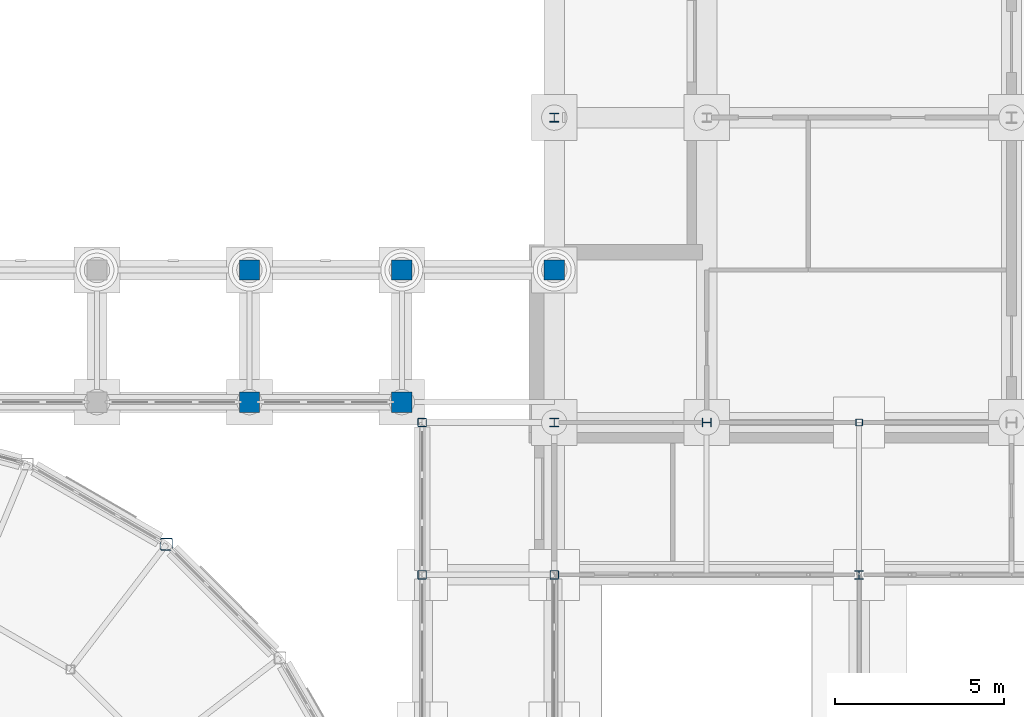
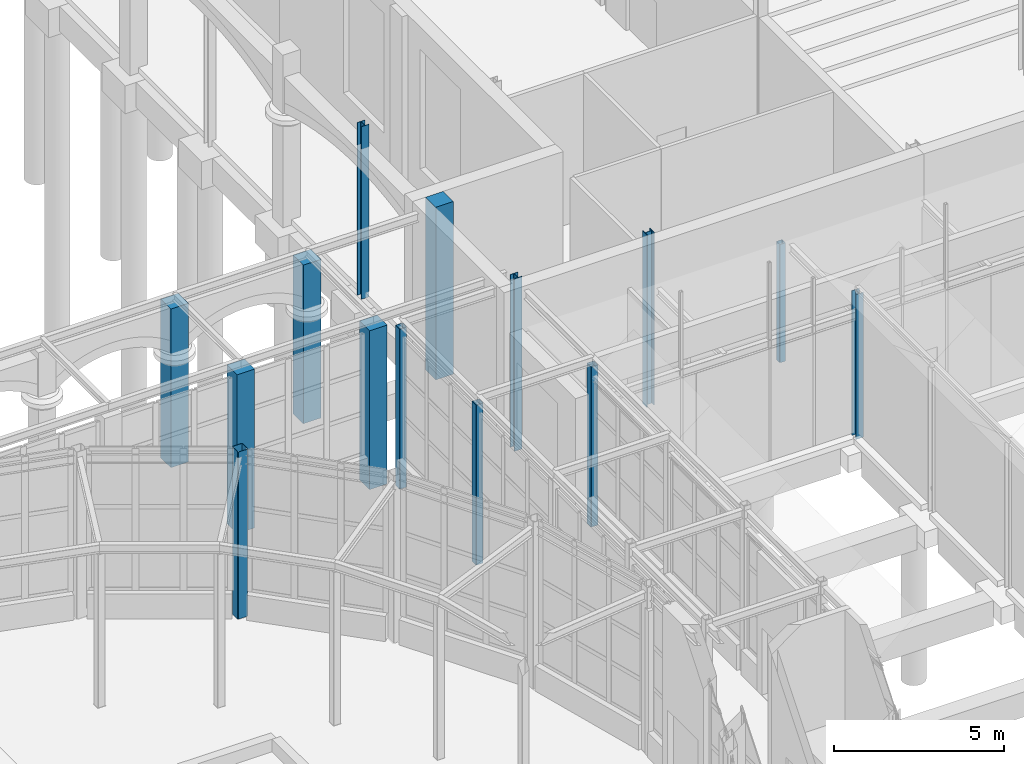
# One storey, part 19 of 106: 14 columns.
"""IFC4 building model written with IfcOpenShell, lengths in metres."""

from ifc_helpers import new_model, si_unit, direction, frame, origin, origin_2d, place, context, subcontext, project, spatial, rectangle, hollow_rectangle, i_section, extrude, material, material_profile, profile_set, type_object, element, save


model = new_model("IFC4")

# Units and contexts
model_context = context("Model", 3, precision=1e-05, world=origin(), true_north=direction((0.0, 1.0)))
body_context = subcontext(model_context, "Body", "Model", "MODEL_VIEW")
ifc_project = project(units=[si_unit("LENGTHUNIT", "METRE"), si_unit("AREAUNIT", "SQUARE_METRE"), si_unit("VOLUMEUNIT", "CUBIC_METRE"), si_unit("PLANEANGLEUNIT", "RADIAN"), si_unit("MASSUNIT", "GRAM", prefix="KILO")], contexts=[model_context])

# Site, building, storey
site_placement = place(None, origin())
site = spatial("IfcSite", under=ifc_project, at=site_placement, CompositionType="ELEMENT")
building_placement = place(site_placement, origin())
building = spatial("IfcBuilding", under=site, at=building_placement, Name="Hortulan Conservatory and Botanical Research Centre", CompositionType="ELEMENT")
storey_placement = place(building_placement, origin())
storey = spatial("IfcBuildingStorey", under=building, at=storey_placement, Name="L00", CompositionType="ELEMENT", Elevation=0.0)

# Columns
ifc_material_1 = material(Name="Steel Grade 300PLUS (AS/NZS 3679.1, 280 MPa minimum yield)", Category="steel")
ifc_material_profile_1 = material_profile(ifc_material_1, i_section(OverallWidth=0.256103515625, OverallDepth=0.260009765625, WebThickness=0.010498046875, FlangeThickness=0.017333984375, FilletRadius=0.013916015625, at=origin_2d()), Name="250UC89.5")
ifc_profile_set_1 = profile_set([ifc_material_profile_1], Name="Steel Grade 300PLUS (AS/NZS 3679.1, 280 MPa minimum yield)")
column_type_1 = type_object("IfcColumnType", Name="Auditorium Column 250UC89.5", PredefinedType="COLUMN", material=ifc_profile_set_1)
for number, where, z_axis, x_axis, name in (
    (1, (76.5, 36.0, -0.199951171875), (0.0, 0.0, 1.0), (1.0, 0.0, 0.0), "250UC89.5 column"),
    (2, (76.5, 45.0, -0.199951171875), (0.0, 0.0, 1.0), (1.0, 0.0, 0.0), "250UC89.5 column"),
    (3, (81.0, 36.0, -0.199951171875), (0.0, 0.0, 1.0), (0.0, 1.0, 0.0), "250UC89.5 column"),
):
    element("IfcColumn", number, at=place(storey_placement, frame(where, z_axis=z_axis, x_axis=x_axis)), inside=storey, type_object=column_type_1, Name=name, PredefinedType="COLUMN", context=body_context, shape_type="SweptSolid", body=[
        extrude(i_section(OverallWidth=0.256103515625, OverallDepth=0.260009765625, WebThickness=0.010498046875, FlangeThickness=0.017333984375, FilletRadius=0.013916015625, at=origin_2d()), origin(), (0.0, 0.0, 1.0), 6.199951171875),
    ])
ifc_material_profile_2 = material_profile(ifc_material_1, i_section(OverallWidth=0.25390625, OverallDepth=0.25390625, WebThickness=0.008544921875, FlangeThickness=0.01416015625, FilletRadius=0.013916015625, at=origin_2d()), Name="250UC72.9")
ifc_profile_set_2 = profile_set([ifc_material_profile_2], Name="Steel Grade 300PLUS (AS/NZS 3679.1, 280 MPa minimum yield)")
column_type_2 = type_object("IfcColumnType", Name="Climate House Column 250UC72.9", PredefinedType="COLUMN", material=ifc_profile_set_2)
column_1_placement = place(storey_placement, frame((85.5, 31.5, -0.199951171875), z_axis=(0.0, 0.0, 1.0), x_axis=(1.0, 0.0, 0.0)))
element("IfcColumn", 4, at=column_1_placement, inside=storey, type_object=column_type_2, Name="Climate house column F2-8", PredefinedType="COLUMN", context=body_context, shape_type="SweptSolid", body=[
    extrude(i_section(OverallWidth=0.25390625, OverallDepth=0.25390625, WebThickness=0.008544921875, FlangeThickness=0.01416015625, FilletRadius=0.013916015625, at=origin_2d()), origin(), (0.0, 0.0, 1.0), 5.199951171875),
])
ifc_material_2 = material(Name="Steel Grade C450L0 (450 MPa, AS/NZS 1163)", Category="steel")
ifc_material_profile_3 = material_profile(ifc_material_2, hollow_rectangle(XDim=0.35009765625, YDim=0.35009765625, WallThickness=0.012451171875, InnerFilletRadius=0.018798828125, OuterFilletRadius=0.03125, at=origin_2d()), Name="350x350x12.5SHS")
ifc_profile_set_3 = profile_set([ifc_material_profile_3], Name="Steel Grade C450L0 (450 MPa, AS/NZS 1163)")
column_type_3 = type_object("IfcColumnType", Name="Dome Drum Column 350x350x12.5 SHS", PredefinedType="COLUMN", material=ifc_profile_set_3)
column_2_placement = place(storey_placement, frame((65.05224609375, 32.403564453125, 0.0), z_axis=(0.0, 0.0, 1.0), x_axis=(1.0, 0.0, 0.0)))
element("IfcColumn", 5, at=column_2_placement, inside=storey, type_object=column_type_3, Name="Dome drum column 04 L00", PredefinedType="COLUMN", context=body_context, shape_type="SweptSolid", body=[
    extrude(hollow_rectangle(XDim=0.35009765625, YDim=0.35009765625, WallThickness=0.012451171875, InnerFilletRadius=0.018798828125, OuterFilletRadius=0.03125, at=origin_2d()), origin(), (0.0, 0.0, 1.0), 6.0),
])
ifc_material_profile_4 = material_profile(ifc_material_2, hollow_rectangle(XDim=0.199951171875, YDim=0.199951171875, WallThickness=0.009033203125, InnerFilletRadius=0.013427734375, OuterFilletRadius=0.0224609375, at=origin_2d()), Name="200x200x9SHS")
ifc_profile_set_4 = profile_set([ifc_material_profile_4], Name="Steel Grade C450L0 (450 MPa, AS/NZS 1163)")
column_type_4 = type_object("IfcColumnType", Name="Gardeners Block Column 200x200x9 SHS", PredefinedType="COLUMN", material=ifc_profile_set_4)
column_3_placement = place(storey_placement, frame((85.5, 36.0, -0.199951171875), z_axis=(0.0, 0.0, 1.0), x_axis=(1.0, 0.0, 0.0)))
element("IfcColumn", 6, at=column_3_placement, inside=storey, type_object=column_type_4, Name="Gardeners block rear column 85.5", PredefinedType="COLUMN", context=body_context, shape_type="SweptSolid", body=[
    extrude(hollow_rectangle(XDim=0.199951171875, YDim=0.199951171875, WallThickness=0.009033203125, InnerFilletRadius=0.013427734375, OuterFilletRadius=0.0224609375, at=origin_2d()), origin(), (0.0, 0.0, 1.0), 4.245849609375),
])
ifc_material_profile_5 = material_profile(ifc_material_2, hollow_rectangle(XDim=0.25, YDim=0.25, WallThickness=0.009033203125, InnerFilletRadius=0.013427734375, OuterFilletRadius=0.0224609375, at=origin_2d()), Name="250x250x9SHS")
ifc_profile_set_5 = profile_set([ifc_material_profile_5], Name="Steel Grade C450L0 (450 MPa, AS/NZS 1163)")
column_type_5 = type_object("IfcColumnType", Name="Head Link Column 250x250x9 SHS", PredefinedType="COLUMN", material=ifc_profile_set_5)
for number, where, z_axis, x_axis, name in (
    (7, (72.60009765625, 31.5, -0.199951171875), (0.0, 0.0, 1.0), (1.0, 0.0, 0.0), "Head link column P-72.6-31.5 L00"),
    (8, (76.5, 31.5, -0.199951171875), (0.0, 0.0, 1.0), (1.0, 0.0, 0.0), "Head link column P-76.5-31.5 L00"),
    (9, (72.60009765625, 36.0, -0.199951171875), (0.0, 0.0, 1.0), (1.0, 0.0, 0.0), "Head link column P-72.6-36.0 L00"),
):
    element("IfcColumn", number, at=place(storey_placement, frame(where, z_axis=z_axis, x_axis=x_axis)), inside=storey, type_object=column_type_5, Name=name, PredefinedType="COLUMN", context=body_context, shape_type="SweptSolid", body=[
        extrude(hollow_rectangle(XDim=0.25, YDim=0.25, WallThickness=0.009033203125, InnerFilletRadius=0.013427734375, OuterFilletRadius=0.0224609375, at=origin_2d()), origin(), (0.0, 0.0, 1.0), 5.745849609375),
    ])
ifc_material_3 = material(Name="Sandstone masonry (25 MPa, AS 3700)", Category="masonry")
ifc_material_profile_6 = material_profile(ifc_material_3, rectangle(XDim=0.60009765625, YDim=0.60009765625, at=origin_2d()), Name="Square pier 600")
ifc_profile_set_6 = profile_set([ifc_material_profile_6], Name="Sandstone masonry (25 MPa, AS 3700)")
column_type_6 = type_object("IfcColumnType", Name="Sandstone Arcade Pier 600x600", PredefinedType="COLUMN", material=ifc_profile_set_6)
column_4_placement = place(storey_placement, frame((76.5, 40.5, -0.199951171875), z_axis=(0.0, 0.0, 1.0), x_axis=(1.0, 0.0, 0.0)))
element("IfcColumn", 10, at=column_4_placement, inside=storey, type_object=column_type_6, Name="Sandstone arcade pier P-76.5-40.5 L00", PredefinedType="COLUMN", context=body_context, shape_type="SweptSolid", body=[
    extrude(rectangle(XDim=0.60009765625, YDim=0.60009765625, at=origin_2d()), origin(), (0.0, 0.0, 1.0), 6.199951171875),
])
for number, where, z_axis, x_axis, name in (
    (11, (67.5, 40.5, -0.199951171875), (0.0, 0.0, 1.0), (1.0, 0.0, 0.0), "Sandstone arcade pier P-67.5-40.5 L00"),
    (12, (72.0, 40.5, -0.199951171875), (0.0, 0.0, 1.0), (1.0, 0.0, 0.0), "Sandstone arcade pier P-72.0-40.5 L00"),
):
    element("IfcColumn", number, at=place(storey_placement, frame(where, z_axis=z_axis, x_axis=x_axis)), inside=storey, type_object=column_type_6, Name=name, PredefinedType="COLUMN", context=body_context, shape_type="SweptSolid", body=[
        extrude(rectangle(XDim=0.60009765625, YDim=0.60009765625, at=origin_2d()), origin(), (0.0, 0.0, 1.0), 5.696044921875),
    ])
for number, where, z_axis, x_axis, name in (
    (13, (67.5, 36.60009765625, -0.199951171875), (0.0, 0.0, 1.0), (1.0, 0.0, 0.0), "Sandstone arcade pier R-67.5-36.6 L00"),
    (14, (72.0, 36.60009765625, -0.199951171875), (0.0, 0.0, 1.0), (1.0, 0.0, 0.0), "Sandstone arcade pier R-72.0-36.6 L00"),
):
    element("IfcColumn", number, at=place(storey_placement, frame(where, z_axis=z_axis, x_axis=x_axis)), inside=storey, type_object=column_type_6, Name=name, PredefinedType="COLUMN", context=body_context, shape_type="SweptSolid", body=[
        extrude(rectangle(XDim=0.60009765625, YDim=0.60009765625, at=origin_2d()), origin(), (0.0, 0.0, 1.0), 5.701904296875),
    ])

save(model, "model.ifc")
